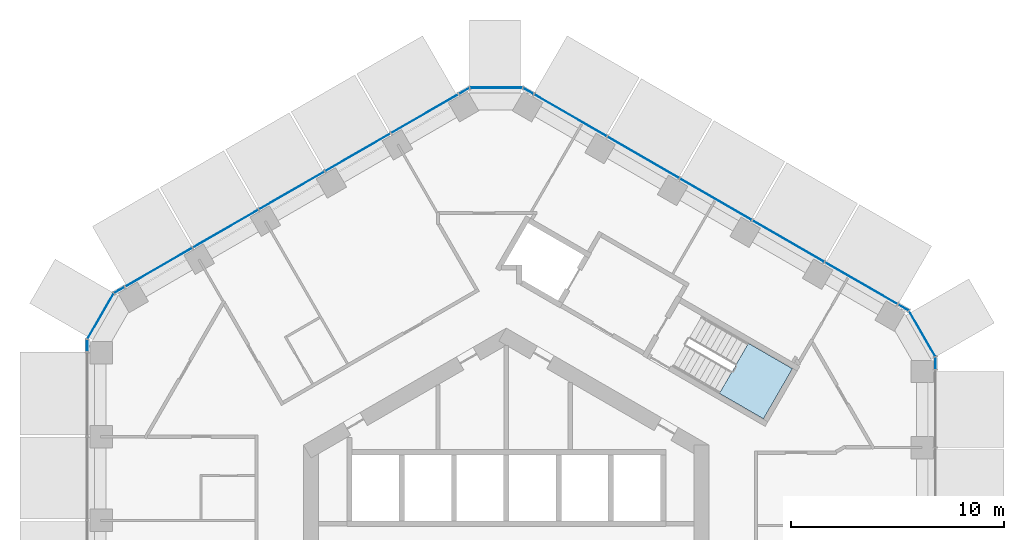
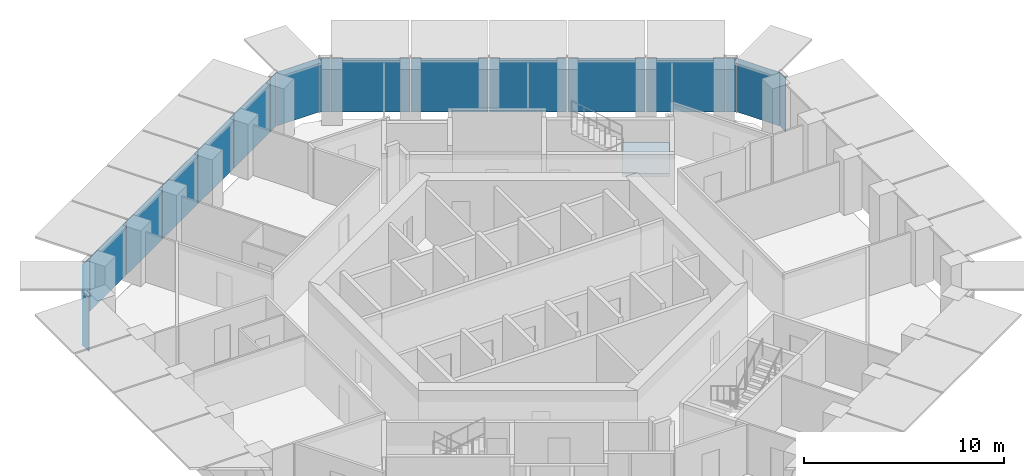
# One storey, part 11 of 18: 19 plates, 1 slab, 6 elements without a shape of their own.
"""IFC4 building model written with IfcOpenShell, lengths in metres."""

from ifc_helpers import new_model, si_unit, direction, frame, origin, origin_2d, place, context, subcontext, project, spatial, polyline, rectangle, outline, extrude, material, layer, layer_set, type_object, element, aggregate, save


model = new_model("IFC4")

# Units and contexts
model_context = context("Model", 3, precision=1e-05, world=origin(), true_north=direction((0.0, 1.0)))
body_context = subcontext(model_context, "Body", "Model", "MODEL_VIEW")
ifc_project = project(units=[si_unit("LENGTHUNIT", "METRE"), si_unit("AREAUNIT", "SQUARE_METRE"), si_unit("VOLUMEUNIT", "CUBIC_METRE"), si_unit("PLANEANGLEUNIT", "RADIAN"), si_unit("MASSUNIT", "GRAM", prefix="KILO")], contexts=[model_context])

# Site, building, storey
site_placement = place(None, origin())
site = spatial("IfcSite", under=ifc_project, at=site_placement, CompositionType="ELEMENT")
building_placement = place(site_placement, origin())
building = spatial("IfcBuilding", under=site, at=building_placement, Name="Ayvan Gate Tower", CompositionType="ELEMENT")
storey_placement = place(building_placement, frame((0.0, 0.0, 110.300048828125)))
storey = spatial("IfcBuildingStorey", under=building, at=storey_placement, Name="L29", CompositionType="ELEMENT", Elevation=110.300048828125)

# Stair, slab
ifc_material_1 = material(Name="Concrete C40/50", Category="concrete")
stair_type = type_object("IfcStairType", Name="ST-EXIT", PredefinedType="HALF_TURN_STAIR", material=ifc_material_1)
stair_placement = place(storey_placement, origin())
stair = element("IfcStair", 1, at=stair_placement, inside=storey, type_object=stair_type, Name="L29 Exit Stair S1", PredefinedType="HALF_TURN_STAIR")
ifc_layer_1 = layer(ifc_material_1, 0.199951171875)
ifc_layer_set_1 = layer_set([ifc_layer_1], Name="Concrete C40/50")
slab_type = type_object("IfcSlabType", Name="SL-LANDING-200", PredefinedType="LANDING", material=ifc_layer_set_1)
slab_placement = place(storey_placement, frame((0.0, 0.0, 1.5)))
slab = element("IfcSlab", 2, at=slab_placement, type_object=slab_type, Name="STS1 landing 1", PredefinedType="LANDING", context=body_context, shape_type="SweptSolid", body=[
    extrude(outline(polyline([(9.988525390625, 7.91064453125), (12.049560546875, 6.720458984375), (13.404541015625, 9.0673828125), (11.343505859375, 10.257568359375), (9.988525390625, 7.91064453125)])), origin(), (0.0, 0.0, 1.0), 0.199951171875),
])
aggregate(stair, [slab])

# Curtain wall, plates
ifc_material_2 = material(Name="Bronze anodised aluminium", Category="aluminium")
ifc_layer_2 = layer(ifc_material_2, 0.199951171875)
ifc_layer_set_2 = layer_set([ifc_layer_2], Name="Bronze anodised aluminium")
curtain_wall_type_1 = type_object("IfcCurtainWallType", Name="Stick curtain wall CW-1", PredefinedType="NOTDEFINED", material=ifc_layer_set_2)
curtain_wall_1_placement = place(storey_placement, origin())
curtain_wall_1 = element("IfcCurtainWall", 3, at=curtain_wall_1_placement, inside=storey, type_object=curtain_wall_type_1, Name="Stick curtain wall CW-1 L29", PredefinedType="NOTDEFINED")
ifc_material_3 = material(Name="Clear low-iron laminated glass", Category="glass")
ifc_layer_3 = layer(ifc_material_3, 0.028076171875)
ifc_layer_set_3 = layer_set([ifc_layer_3], Name="Clear low-iron laminated glass")
plate_type_1 = type_object("IfcPlateType", Name="Stick curtain wall CW-1 glass panel", PredefinedType="CURTAIN_PANEL", material=ifc_layer_set_3)
plate_1_placement = place(storey_placement, frame((-3.814208984375, 21.01953125, 0.0), z_axis=(0.0, 0.0, 1.0), x_axis=(-0.866025403784, -0.5, 0.0)))
plate_1 = element("IfcPlate", 4, at=plate_1_placement, type_object=plate_type_1, Name="CW-1 glass panel 1", PredefinedType="CURTAIN_PANEL", context=body_context, shape_type="SweptSolid", body=[
    extrude(rectangle(XDim=3.631103515625, YDim=0.028076171875, at=origin_2d()), origin(), (0.0, 0.0, 1.0), 3.280029296875),
])
plate_2_placement = place(storey_placement, frame((-6.960205078125, 19.203369140625, 0.0), z_axis=(0.0, 0.0, 1.0), x_axis=(-0.866025403784, -0.5, 0.0)))
plate_2 = element("IfcPlate", 5, at=plate_2_placement, type_object=plate_type_1, Name="CW-1 glass panel 2", PredefinedType="CURTAIN_PANEL", context=body_context, shape_type="SweptSolid", body=[
    extrude(rectangle(XDim=3.513916015625, YDim=0.028076171875, at=origin_2d()), origin(), (0.0, 0.0, 1.0), 3.280029296875),
])
plate_3_placement = place(storey_placement, frame((-10.05517578125, 17.416259765625, 0.0), z_axis=(0.0, 0.0, 1.0), x_axis=(-0.866025403784, -0.5, 0.0)))
plate_3 = element("IfcPlate", 6, at=plate_3_placement, type_object=plate_type_1, Name="CW-1 glass panel 3", PredefinedType="CURTAIN_PANEL", context=body_context, shape_type="SweptSolid", body=[
    extrude(rectangle(XDim=3.513916015625, YDim=0.028076171875, at=origin_2d()), origin(), (0.0, 0.0, 1.0), 3.280029296875),
])
plate_4_placement = place(storey_placement, frame((-13.150390625, 15.629150390625, 0.0), z_axis=(0.0, 0.0, 1.0), x_axis=(-0.866025403784, -0.5, 0.0)))
plate_4 = element("IfcPlate", 7, at=plate_4_placement, type_object=plate_type_1, Name="CW-1 glass panel 4", PredefinedType="CURTAIN_PANEL", context=body_context, shape_type="SweptSolid", body=[
    extrude(rectangle(XDim=3.513916015625, YDim=0.028076171875, at=origin_2d()), origin(), (0.0, 0.0, 1.0), 3.280029296875),
])
plate_5_placement = place(storey_placement, frame((-16.29638671875, 13.81298828125, 0.0), z_axis=(0.0, 0.0, 1.0), x_axis=(-0.866025403784, -0.5, 0.0)))
plate_5 = element("IfcPlate", 8, at=plate_5_placement, type_object=plate_type_1, Name="CW-1 glass panel 5", PredefinedType="CURTAIN_PANEL", context=body_context, shape_type="SweptSolid", body=[
    extrude(rectangle(XDim=3.631103515625, YDim=0.028076171875, at=origin_2d()), origin(), (0.0, 0.0, 1.0), 3.280029296875),
])
aggregate(curtain_wall_1, [plate_1, plate_2, plate_3, plate_4, plate_5])

curtain_wall_2_placement = place(storey_placement, origin())
curtain_wall_2 = element("IfcCurtainWall", 9, at=curtain_wall_2_placement, inside=storey, type_object=curtain_wall_type_1, Name="Stick curtain wall CW-1 L29", PredefinedType="NOTDEFINED")
plate_6_placement = place(storey_placement, frame((16.64208984375, 13.065185546875, 0.0), z_axis=(0.0, 0.0, 1.0), x_axis=(-0.866025403784, 0.5, 0.0)))
plate_6 = element("IfcPlate", 10, at=plate_6_placement, type_object=plate_type_1, Name="CW-1 glass panel 1", PredefinedType="CURTAIN_PANEL", context=body_context, shape_type="SweptSolid", body=[
    extrude(rectangle(XDim=3.928955078125, YDim=0.028076171875, at=origin_2d()), origin(), (0.0, 0.0, 1.0), 3.280029296875),
])
plate_7_placement = place(storey_placement, frame((13.215576171875, 15.04345703125, 0.0), z_axis=(0.0, 0.0, 1.0), x_axis=(-0.866025403784, 0.5, 0.0)))
plate_7 = element("IfcPlate", 11, at=plate_7_placement, type_object=plate_type_1, Name="CW-1 glass panel 2", PredefinedType="CURTAIN_PANEL", context=body_context, shape_type="SweptSolid", body=[
    extrude(rectangle(XDim=3.864013671875, YDim=0.028076171875, at=origin_2d()), origin(), (0.0, 0.0, 1.0), 3.280029296875),
])
plate_8_placement = place(storey_placement, frame((9.81787109375, 17.005126953125, 0.0), z_axis=(0.0, 0.0, 1.0), x_axis=(-0.866025403784, 0.5, 0.0)))
plate_8 = element("IfcPlate", 12, at=plate_8_placement, type_object=plate_type_1, Name="CW-1 glass panel 3", PredefinedType="CURTAIN_PANEL", context=body_context, shape_type="SweptSolid", body=[
    extrude(rectangle(XDim=3.863037109375, YDim=0.028076171875, at=origin_2d()), origin(), (0.0, 0.0, 1.0), 3.280029296875),
])
plate_9_placement = place(storey_placement, frame((6.419921875, 18.967041015625, 0.0), z_axis=(0.0, 0.0, 1.0), x_axis=(-0.866025403784, 0.5, 0.0)))
plate_9 = element("IfcPlate", 13, at=plate_9_placement, type_object=plate_type_1, Name="CW-1 glass panel 4", PredefinedType="CURTAIN_PANEL", context=body_context, shape_type="SweptSolid", body=[
    extrude(rectangle(XDim=3.864013671875, YDim=0.028076171875, at=origin_2d()), origin(), (0.0, 0.0, 1.0), 3.280029296875),
])
plate_10_placement = place(storey_placement, frame((2.99365234375, 20.945068359375, 0.0), z_axis=(0.0, 0.0, 1.0), x_axis=(-0.866025403784, 0.5, 0.0)))
plate_10 = element("IfcPlate", 14, at=plate_10_placement, type_object=plate_type_1, Name="CW-1 glass panel 5", PredefinedType="CURTAIN_PANEL", context=body_context, shape_type="SweptSolid", body=[
    extrude(rectangle(XDim=3.9287109375, YDim=0.028076171875, at=origin_2d()), origin(), (0.0, 0.0, 1.0), 3.280029296875),
])
aggregate(curtain_wall_2, [plate_6, plate_7, plate_8, plate_9, plate_10])

ifc_layer_4 = layer(ifc_material_2, 0.199951171875)
ifc_layer_set_4 = layer_set([ifc_layer_4], Name="Bronze anodised aluminium")
curtain_wall_type_2 = type_object("IfcCurtainWallType", Name="Stick curtain wall CW-6", PredefinedType="NOTDEFINED", material=ifc_layer_set_4)
curtain_wall_3_placement = place(storey_placement, origin())
curtain_wall_3 = element("IfcCurtainWall", 15, at=curtain_wall_3_placement, inside=storey, type_object=curtain_wall_type_2, Name="Stick curtain wall CW-6 L29", PredefinedType="NOTDEFINED")
ifc_layer_5 = layer(ifc_material_3, 0.028076171875)
ifc_layer_set_5 = layer_set([ifc_layer_5], Name="Clear low-iron laminated glass")
plate_type_2 = type_object("IfcPlateType", Name="Stick curtain wall CW-6 glass panel", PredefinedType="CURTAIN_PANEL", material=ifc_layer_set_5)
plate_11_placement = place(storey_placement, frame((-18.1328125, 12.752685546875, 0.0), z_axis=(0.0, 0.0, 1.0), x_axis=(-0.866025403784, -0.5, 0.0)))
plate_11 = element("IfcPlate", 16, at=plate_11_placement, type_object=plate_type_2, Name="CW-6 glass panel 1", PredefinedType="CURTAIN_PANEL", context=body_context, shape_type="SweptSolid", body=[
    extrude(rectangle(XDim=0.550048828125, YDim=0.028076171875, at=origin_2d()), origin(), (0.0, 0.0, 1.0), 3.280029296875),
])
plate_12_placement = place(storey_placement, frame((-19.01416015625, 11.526123046875, 0.0), z_axis=(0.0, 0.0, 1.0), x_axis=(-0.5, -0.866025403784, 0.0)))
plate_12 = element("IfcPlate", 17, at=plate_12_placement, type_object=plate_type_2, Name="CW-6 glass panel 2", PredefinedType="CURTAIN_PANEL", context=body_context, shape_type="SweptSolid", body=[
    extrude(rectangle(XDim=2.4365234375, YDim=0.028076171875, at=origin_2d()), origin(), (0.0, 0.0, 1.0), 3.280029296875),
])
plate_13_placement = place(storey_placement, frame((-19.6357421875, 10.1494140625, 0.0), z_axis=(0.0, 0.0, 1.0), x_axis=(0.0, -1.0, 0.0)))
plate_13 = element("IfcPlate", 18, at=plate_13_placement, type_object=plate_type_2, Name="CW-6 glass panel 3", PredefinedType="CURTAIN_PANEL", context=body_context, shape_type="SweptSolid", body=[
    extrude(rectangle(XDim=0.550048828125, YDim=0.028076171875, at=origin_2d()), origin(), (0.0, 0.0, 1.0), 3.280029296875),
])
aggregate(curtain_wall_3, [plate_11, plate_12, plate_13])

curtain_wall_4_placement = place(storey_placement, origin())
curtain_wall_4 = element("IfcCurtainWall", 19, at=curtain_wall_4_placement, inside=storey, type_object=curtain_wall_type_2, Name="Stick curtain wall CW-6 L29", PredefinedType="NOTDEFINED")
plate_14_placement = place(storey_placement, frame((20.110595703125, 9.326904296875, 0.0), z_axis=(0.0, 0.0, 1.0), x_axis=(0.0, 1.0, 0.0)))
plate_14 = element("IfcPlate", 20, at=plate_14_placement, type_object=plate_type_2, Name="CW-6 glass panel 1", PredefinedType="CURTAIN_PANEL", context=body_context, shape_type="SweptSolid", body=[
    extrude(rectangle(XDim=0.550048828125, YDim=0.028076171875, at=origin_2d()), origin(), (0.0, 0.0, 1.0), 3.280029296875),
])
plate_15_placement = place(storey_placement, frame((19.489013671875, 10.70361328125, 0.0), z_axis=(0.0, 0.0, 1.0), x_axis=(-0.5, 0.866025403784, 0.0)))
plate_15 = element("IfcPlate", 21, at=plate_15_placement, type_object=plate_type_2, Name="CW-6 glass panel 2", PredefinedType="CURTAIN_PANEL", context=body_context, shape_type="SweptSolid", body=[
    extrude(rectangle(XDim=2.4365234375, YDim=0.028076171875, at=origin_2d()), origin(), (0.0, 0.0, 1.0), 3.280029296875),
])
plate_16_placement = place(storey_placement, frame((18.607421875, 11.930419921875, 0.0), z_axis=(0.0, 0.0, 1.0), x_axis=(-0.866025403784, 0.5, 0.0)))
plate_16 = element("IfcPlate", 22, at=plate_16_placement, type_object=plate_type_2, Name="CW-6 glass panel 3", PredefinedType="CURTAIN_PANEL", context=body_context, shape_type="SweptSolid", body=[
    extrude(rectangle(XDim=0.550048828125, YDim=0.028076171875, at=origin_2d()), origin(), (0.0, 0.0, 1.0), 3.280029296875),
])
aggregate(curtain_wall_4, [plate_14, plate_15, plate_16])

curtain_wall_5_placement = place(storey_placement, origin())
curtain_wall_5 = element("IfcCurtainWall", 23, at=curtain_wall_5_placement, inside=storey, type_object=curtain_wall_type_2, Name="Stick curtain wall CW-6 L29", PredefinedType="NOTDEFINED")
plate_17_placement = place(storey_placement, frame((1.0283203125, 22.079833984375, 0.0), z_axis=(0.0, 0.0, 1.0), x_axis=(-0.866025403784, 0.5, 0.0)))
plate_17 = element("IfcPlate", 24, at=plate_17_placement, type_object=plate_type_2, Name="CW-6 glass panel 1", PredefinedType="CURTAIN_PANEL", context=body_context, shape_type="SweptSolid", body=[
    extrude(rectangle(XDim=0.550048828125, YDim=0.028076171875, at=origin_2d()), origin(), (0.0, 0.0, 1.0), 3.280029296875),
])
plate_18_placement = place(storey_placement, frame((-0.474853515625, 22.229736328125, 0.0), z_axis=(0.0, 0.0, 1.0), x_axis=(-1.0, 0.0, 0.0)))
plate_18 = element("IfcPlate", 25, at=plate_18_placement, type_object=plate_type_2, Name="CW-6 glass panel 2", PredefinedType="CURTAIN_PANEL", context=body_context, shape_type="SweptSolid", body=[
    extrude(rectangle(XDim=2.4365234375, YDim=0.028076171875, at=origin_2d()), origin(), (0.0, 0.0, 1.0), 3.280029296875),
])
plate_19_placement = place(storey_placement, frame((-1.977783203125, 22.079833984375, 0.0), z_axis=(0.0, 0.0, 1.0), x_axis=(-0.866025403784, -0.5, 0.0)))
plate_19 = element("IfcPlate", 26, at=plate_19_placement, type_object=plate_type_2, Name="CW-6 glass panel 3", PredefinedType="CURTAIN_PANEL", context=body_context, shape_type="SweptSolid", body=[
    extrude(rectangle(XDim=0.550048828125, YDim=0.028076171875, at=origin_2d()), origin(), (0.0, 0.0, 1.0), 3.280029296875),
])
aggregate(curtain_wall_5, [plate_17, plate_18, plate_19])

save(model, "model.ifc")
